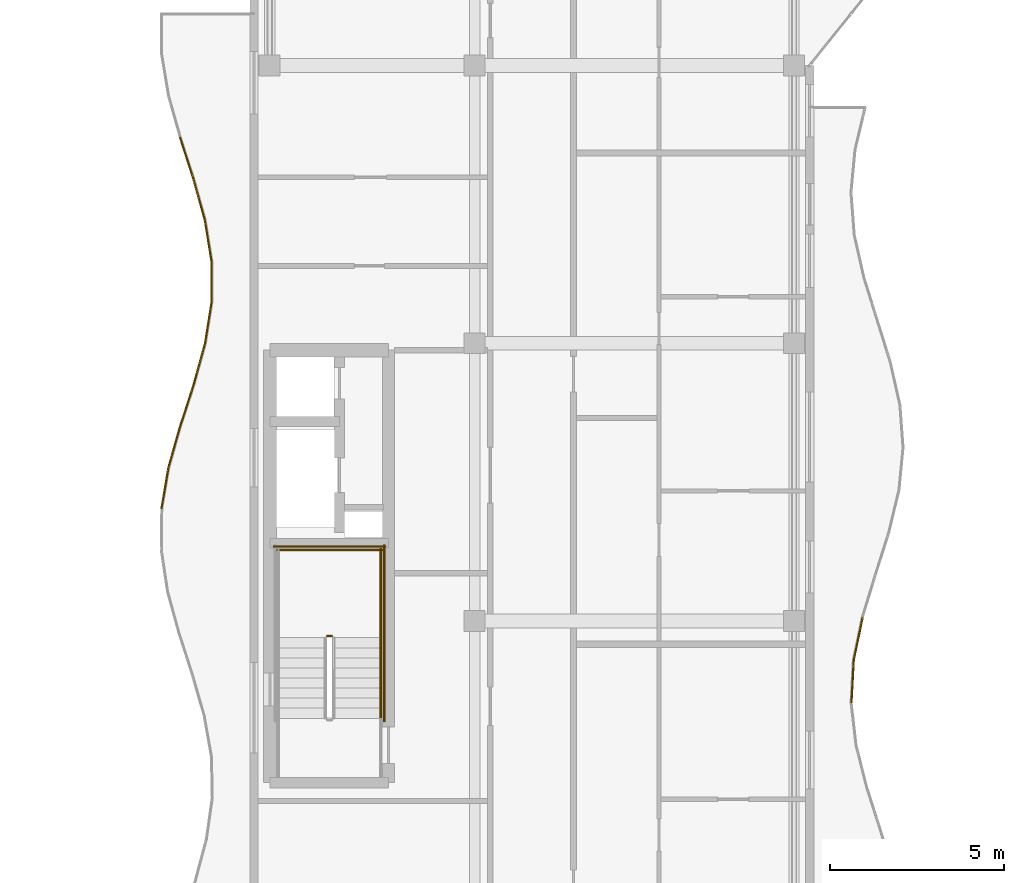
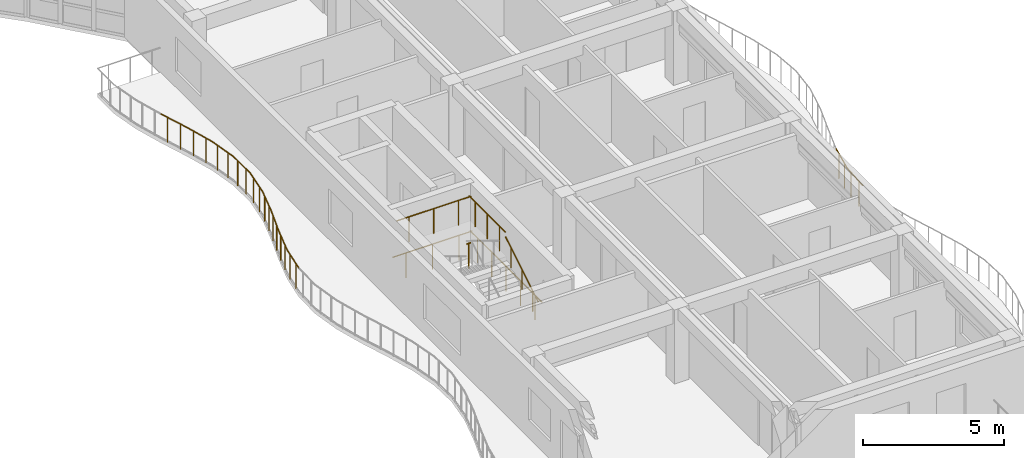
# One storey, part 60 of 72: 17 railings.
"""IFC4 building model written with IfcOpenShell, lengths in metres."""

from ifc_helpers import new_model, si_unit, direction, frame, origin, origin_2d, place, context, subcontext, project, spatial, circle, extrude, material, type_object, element, save


model = new_model("IFC4")

# Units and contexts
model_context = context("Model", 3, precision=1e-05, world=origin(), true_north=direction((0.0, 1.0)))
body_context = subcontext(model_context, "Body", "Model", "MODEL_VIEW")
ifc_project = project(units=[si_unit("LENGTHUNIT", "METRE"), si_unit("AREAUNIT", "SQUARE_METRE"), si_unit("VOLUMEUNIT", "CUBIC_METRE"), si_unit("PLANEANGLEUNIT", "RADIAN"), si_unit("MASSUNIT", "GRAM", prefix="KILO")], contexts=[model_context])

# Site, building, storey
site_placement = place(None, origin())
site = spatial("IfcSite", under=ifc_project, at=site_placement, CompositionType="ELEMENT")
building_placement = place(site_placement, origin())
building = spatial("IfcBuilding", under=site, at=building_placement, Name="Keldmere Railside Commons", CompositionType="ELEMENT")
storey_placement = place(building_placement, frame((0.0, 0.0, 16.9599609375)))
storey = spatial("IfcBuildingStorey", under=building, at=storey_placement, Name="L05", CompositionType="ELEMENT", Elevation=16.9599609375)

# Railings
ifc_material = material(Name="Steel F-24 (S235)", Category="steel")
railing_type_1 = type_object("IfcRailingType", Name="Balcony & Terrace Steel Balustrade 1100", PredefinedType="BALUSTRADE", material=ifc_material)
railing_1_placement = place(storey_placement, frame((121.203857421875, 69.64990234375, 0.0)))
element("IfcRailing", 1, at=railing_1_placement, inside=storey, type_object=railing_type_1, Name="GR-1 GRD-L05-2416", PredefinedType="BALUSTRADE", context=body_context, shape_type="SweptSolid", body=[
    extrude(circle(Radius=0.02392578125, at=origin_2d()), frame((0.0, 0.0, 1.076171875), z_axis=(0.053530154801, 0.99856623342, 0.0), x_axis=(-0.99856623342, 0.053530154801, 0.0)), (0.0, 0.0, 1.0), 1.226806640625),
    extrude(circle(Radius=0.02099609375, at=origin_2d()), frame((0.016357421875, 0.30615234375, 0.0)), (0.0, 0.0, 1.0), 1.048095703125),
    extrude(circle(Radius=0.02099609375, at=origin_2d()), frame((0.04931640625, 0.9189453125, 0.0)), (0.0, 0.0, 1.0), 1.048095703125),
])
railing_2_placement = place(storey_placement, frame((121.26953125, 70.875, 0.0)))
element("IfcRailing", 2, at=railing_2_placement, inside=storey, type_object=railing_type_1, Name="GR-1 GRD-L05-2417", PredefinedType="BALUSTRADE", context=body_context, shape_type="SweptSolid", body=[
    extrude(circle(Radius=0.02392578125, at=origin_2d()), frame((0.0, 0.0, 1.076171875), z_axis=(0.204250275203, 0.978918701977, 0.0), x_axis=(-0.978918701977, 0.204250275203, 0.0)), (0.0, 0.0, 1.0), 1.25146484375),
    extrude(circle(Radius=0.02099609375, at=origin_2d()), frame((0.06396484375, 0.30615234375, 0.0)), (0.0, 0.0, 1.0), 1.048095703125),
    extrude(circle(Radius=0.02099609375, at=origin_2d()), frame((0.191650390625, 0.9189453125, 0.0)), (0.0, 0.0, 1.0), 1.048095703125),
])
railing_3_placement = place(storey_placement, frame((101.332275390625, 75.2333984375, 0.0)))
element("IfcRailing", 3, at=railing_3_placement, inside=storey, type_object=railing_type_1, Name="GR-1 GRD-L05-2447", PredefinedType="BALUSTRADE", context=body_context, shape_type="SweptSolid", body=[
    extrude(circle(Radius=0.02392578125, at=origin_2d()), frame((0.0, 0.0, 1.076171875), z_axis=(0.167648626191, 0.985846812713, 0.0), x_axis=(-0.985846812713, 0.167648626191, 0.0)), (0.0, 0.0, 1.0), 1.205810546875),
    extrude(circle(Radius=0.02099609375, at=origin_2d()), frame((0.050537109375, 0.297119140625, 0.0)), (0.0, 0.0, 1.0), 1.048095703125),
    extrude(circle(Radius=0.02099609375, at=origin_2d()), frame((0.151611328125, 0.8916015625, 0.0)), (0.0, 0.0, 1.0), 1.048095703125),
])
railing_4_placement = place(storey_placement, frame((101.534423828125, 76.422119140625, 0.0)))
element("IfcRailing", 4, at=railing_4_placement, inside=storey, type_object=railing_type_1, Name="GR-1 GRD-L05-2448", PredefinedType="BALUSTRADE", context=body_context, shape_type="SweptSolid", body=[
    extrude(circle(Radius=0.02392578125, at=origin_2d()), frame((0.0, 0.0, 1.076171875), z_axis=(0.273364318721, 0.961910572377, 0.0), x_axis=(-0.961910572377, 0.273364318721, 0.0)), (0.0, 0.0, 1.0), 1.236083984375),
    extrude(circle(Radius=0.02099609375, at=origin_2d()), frame((0.08447265625, 0.29736328125, 0.0)), (0.0, 0.0, 1.0), 1.048095703125),
    extrude(circle(Radius=0.02099609375, at=origin_2d()), frame((0.25341796875, 0.8916015625, 0.0)), (0.0, 0.0, 1.0), 1.048095703125),
])
railing_5_placement = place(storey_placement, frame((101.872314453125, 77.611083984375, 0.0)))
element("IfcRailing", 5, at=railing_5_placement, inside=storey, type_object=railing_type_1, Name="GR-1 GRD-L05-2449", PredefinedType="BALUSTRADE", context=body_context, shape_type="SweptSolid", body=[
    extrude(circle(Radius=0.02392578125, at=origin_2d()), frame((0.0, 0.0, 1.076171875), z_axis=(0.307716246559, 0.951478171901, 0.0), x_axis=(-0.951478171901, 0.307716246559, 0.0)), (0.0, 0.0, 1.0), 1.24951171875),
    extrude(circle(Radius=0.02099609375, at=origin_2d()), frame((0.09619140625, 0.29736328125, 0.0)), (0.0, 0.0, 1.0), 1.048095703125),
    extrude(circle(Radius=0.02099609375, at=origin_2d()), frame((0.288330078125, 0.8916015625, 0.0)), (0.0, 0.0, 1.0), 1.048095703125),
])
railing_6_placement = place(storey_placement, frame((102.2568359375, 78.800048828125, 0.0)))
element("IfcRailing", 6, at=railing_6_placement, inside=storey, type_object=railing_type_1, Name="GR-1 GRD-L05-2450", PredefinedType="BALUSTRADE", context=body_context, shape_type="SweptSolid", body=[
    extrude(circle(Radius=0.02392578125, at=origin_2d()), frame((0.0, 0.0, 1.076171875), z_axis=(0.267684679767, 0.963506570926, 0.0), x_axis=(-0.963506570926, 0.267684679767, 0.0)), (0.0, 0.0, 1.0), 1.23388671875),
    extrude(circle(Radius=0.02099609375, at=origin_2d()), frame((0.08251953125, 0.29736328125, 0.0)), (0.0, 0.0, 1.0), 1.048095703125),
    extrude(circle(Radius=0.02099609375, at=origin_2d()), frame((0.247802734375, 0.8916015625, 0.0)), (0.0, 0.0, 1.0), 1.048095703125),
])
railing_7_placement = place(storey_placement, frame((102.587158203125, 79.989013671875, 0.0)))
element("IfcRailing", 7, at=railing_7_placement, inside=storey, type_object=railing_type_1, Name="GR-1 GRD-L05-2451", PredefinedType="BALUSTRADE", context=body_context, shape_type="SweptSolid", body=[
    extrude(circle(Radius=0.02392578125, at=origin_2d()), frame((0.0, 0.0, 1.076171875), z_axis=(0.156795809223, 0.987631041538, 0.0), x_axis=(-0.987631041538, 0.156795809223, 0.0)), (0.0, 0.0, 1.0), 1.20361328125),
    extrude(circle(Radius=0.02099609375, at=origin_2d()), frame((0.047119140625, 0.297119140625, 0.0)), (0.0, 0.0, 1.0), 1.048095703125),
    extrude(circle(Radius=0.02099609375, at=origin_2d()), frame((0.1416015625, 0.8916015625, 0.0)), (0.0, 0.0, 1.0), 1.048095703125),
])
railing_8_placement = place(storey_placement, frame((102.77587890625, 81.177734375, 0.0)))
element("IfcRailing", 8, at=railing_8_placement, inside=storey, type_object=railing_type_1, Name="GR-1 GRD-L05-2452", PredefinedType="BALUSTRADE", context=body_context, shape_type="SweptSolid", body=[
    extrude(circle(Radius=0.02392578125, at=origin_2d()), frame((0.0, 0.0, 1.076171875), z_axis=(-0.001848046126, 0.999998292361, 0.0), x_axis=(-0.999998292361, -0.001848046126, 0.0)), (0.0, 0.0, 1.0), 1.18896484375),
    extrude(circle(Radius=0.02099609375, at=origin_2d()), frame((-0.00048828125, 0.29736328125, 0.0)), (0.0, 0.0, 1.0), 1.048095703125),
    extrude(circle(Radius=0.02099609375, at=origin_2d()), frame((-0.001708984375, 0.8916015625, 0.0)), (0.0, 0.0, 1.0), 1.048095703125),
])
railing_9_placement = place(storey_placement, frame((102.773681640625, 82.36669921875, 0.0)))
element("IfcRailing", 9, at=railing_9_placement, inside=storey, type_object=railing_type_1, Name="GR-1 GRD-L05-2453", PredefinedType="BALUSTRADE", context=body_context, shape_type="SweptSolid", body=[
    extrude(circle(Radius=0.02392578125, at=origin_2d()), frame((0.0, 0.0, 1.076171875), z_axis=(-0.159729512421, 0.987160819148, 0.0), x_axis=(-0.987160819148, -0.159729512421, 0.0)), (0.0, 0.0, 1.0), 1.204345703125),
    extrude(circle(Radius=0.02099609375, at=origin_2d()), frame((-0.048095703125, 0.29736328125, 0.0)), (0.0, 0.0, 1.0), 1.048095703125),
    extrude(circle(Radius=0.02099609375, at=origin_2d()), frame((-0.144287109375, 0.8916015625, 0.0)), (0.0, 0.0, 1.0), 1.048095703125),
])
railing_10_placement = place(storey_placement, frame((102.581298828125, 83.5556640625, 0.0)))
element("IfcRailing", 10, at=railing_10_placement, inside=storey, type_object=railing_type_1, Name="GR-1 GRD-L05-2454", PredefinedType="BALUSTRADE", context=body_context, shape_type="SweptSolid", body=[
    extrude(circle(Radius=0.02392578125, at=origin_2d()), frame((0.0, 0.0, 1.076171875), z_axis=(-0.26938781694, 0.963031777297, 0.0), x_axis=(-0.963031777297, -0.26938781694, 0.0)), (0.0, 0.0, 1.0), 1.234375),
    extrude(circle(Radius=0.02099609375, at=origin_2d()), frame((-0.0830078125, 0.297119140625, 0.0)), (0.0, 0.0, 1.0), 1.048095703125),
    extrude(circle(Radius=0.02099609375, at=origin_2d()), frame((-0.24951171875, 0.8916015625, 0.0)), (0.0, 0.0, 1.0), 1.048095703125),
])
railing_11_placement = place(storey_placement, frame((102.248779296875, 84.744384765625, 0.0)))
element("IfcRailing", 11, at=railing_11_placement, inside=storey, type_object=railing_type_1, Name="GR-1 GRD-L05-2455", PredefinedType="BALUSTRADE", context=body_context, shape_type="SweptSolid", body=[
    extrude(circle(Radius=0.02392578125, at=origin_2d()), frame((0.0, 0.0, 1.076171875), z_axis=(-0.307893106044, 0.95142095586, 0.0), x_axis=(-0.95142095586, -0.307893106044, 0.0)), (0.0, 0.0, 1.0), 1.249755859375),
    extrude(circle(Radius=0.02099609375, at=origin_2d()), frame((-0.09619140625, 0.29736328125, 0.0)), (0.0, 0.0, 1.0), 1.048095703125),
    extrude(circle(Radius=0.02099609375, at=origin_2d()), frame((-0.28857421875, 0.8916015625, 0.0)), (0.0, 0.0, 1.0), 1.048095703125),
])
railing_type_2 = type_object("IfcRailingType", Name="Stair Well Steel Guardrail 1100", PredefinedType="BALUSTRADE", material=ifc_material)
railing_12_placement = place(storey_placement, frame((106.25, 71.570068359375, 1.60009765625)))
element("IfcRailing", 12, at=railing_12_placement, inside=storey, type_object=railing_type_2, Name="L05 ST-B1 stair guard 2", PredefinedType="BALUSTRADE", context=body_context, shape_type="SweptSolid", body=[
    extrude(circle(Radius=0.02392578125, at=origin_2d()), frame((0.0, 0.0, 1.076171875), z_axis=(-1.0, 0.0, 0.0), x_axis=(0.0, -1.0, 0.0)), (0.0, 0.0, 1.0), 0.14990234375),
    extrude(circle(Radius=0.02099609375, at=origin_2d()), frame((-0.074951171875, 0.0, 0.0)), (0.0, 0.0, 1.0), 1.048095703125),
])
railing_13_placement = place(storey_placement, frame((107.64990234375, 71.52001953125, 1.60009765625)))
element("IfcRailing", 13, at=railing_13_placement, inside=storey, type_object=railing_type_2, Name="L05 ST-B1 stair guard 3", PredefinedType="BALUSTRADE", context=body_context, shape_type="SweptSolid", body=[
    extrude(circle(Radius=0.02392578125, at=origin_2d()), frame((0.0, 0.0, 1.076171875), z_axis=(0.0, 1.0, 0.0), x_axis=(-1.0, 0.0, 0.0)), (0.0, 0.0, 1.0), 2.580078125),
    extrude(circle(Radius=0.02099609375, at=origin_2d()), frame((0.0, 0.429931640625, 0.0)), (0.0, 0.0, 1.0), 1.048095703125),
    extrude(circle(Radius=0.02099609375, at=origin_2d()), frame((0.0, 1.2900390625, 0.0)), (0.0, 0.0, 1.0), 1.048095703125),
    extrude(circle(Radius=0.02099609375, at=origin_2d()), frame((0.0, 2.150146484375, 0.0)), (0.0, 0.0, 1.0), 1.048095703125),
])
railing_14_placement = place(storey_placement, frame((107.699951171875, 74.050048828125, 1.60009765625)))
element("IfcRailing", 14, at=railing_14_placement, inside=storey, type_object=railing_type_2, Name="L05 ST-B1 stair guard 5", PredefinedType="BALUSTRADE", context=body_context, shape_type="SweptSolid", body=[
    extrude(circle(Radius=0.02392578125, at=origin_2d()), frame((0.0, 0.0, 1.076171875), z_axis=(-1.0, 0.0, 0.0), x_axis=(0.0, -1.0, 0.0)), (0.0, 0.0, 1.0), 3.050048828125),
    extrude(circle(Radius=0.02099609375, at=origin_2d()), frame((-0.50830078125, 0.0, 0.0)), (0.0, 0.0, 1.0), 1.048095703125),
    extrude(circle(Radius=0.02099609375, at=origin_2d()), frame((-1.52490234375, 0.0, 0.0)), (0.0, 0.0, 1.0), 1.048095703125),
    extrude(circle(Radius=0.02099609375, at=origin_2d()), frame((-2.541748046875, 0.0, 0.0)), (0.0, 0.0, 1.0), 1.048095703125),
])
railing_15_placement = place(storey_placement, frame((107.75, 69.10009765625, 0.0)))
element("IfcRailing", 15, at=railing_15_placement, inside=storey, type_object=railing_type_2, Name="L05 ST-B1 stair guard 10", PredefinedType="BALUSTRADE", context=body_context, shape_type="SweptSolid", body=[
    extrude(circle(Radius=0.02392578125, at=origin_2d()), frame((0.0, 0.0, 1.076171875), z_axis=(0.0, 1.0, 0.0), x_axis=(-1.0, 0.0, 0.0)), (0.0, 0.0, 1.0), 5.099853515625),
    extrude(circle(Radius=0.02099609375, at=origin_2d()), frame((0.0, 0.510009765625, 0.0)), (0.0, 0.0, 1.0), 1.048095703125),
    extrude(circle(Radius=0.02099609375, at=origin_2d()), frame((0.0, 1.530029296875, 0.0)), (0.0, 0.0, 1.0), 1.048095703125),
    extrude(circle(Radius=0.02099609375, at=origin_2d()), frame((0.0, 2.5498046875, 0.0)), (0.0, 0.0, 1.0), 1.048095703125),
    extrude(circle(Radius=0.02099609375, at=origin_2d()), frame((0.0, 3.56982421875, 0.0)), (0.0, 0.0, 1.0), 1.048095703125),
    extrude(circle(Radius=0.02099609375, at=origin_2d()), frame((0.0, 4.58984375, 0.0)), (0.0, 0.0, 1.0), 1.048095703125),
])
railing_16_placement = place(storey_placement, frame((107.800048828125, 74.14990234375, 0.0)))
element("IfcRailing", 16, at=railing_16_placement, inside=storey, type_object=railing_type_2, Name="L05 ST-B1 stair guard 12", PredefinedType="BALUSTRADE", context=body_context, shape_type="SweptSolid", body=[
    extrude(circle(Radius=0.02392578125, at=origin_2d()), frame((0.0, 0.0, 1.076171875), z_axis=(-1.0, 0.0, 0.0), x_axis=(0.0, -1.0, 0.0)), (0.0, 0.0, 1.0), 3.25),
    extrude(circle(Radius=0.02099609375, at=origin_2d()), frame((-0.541748046875, 0.0, 0.0)), (0.0, 0.0, 1.0), 1.048095703125),
    extrude(circle(Radius=0.02099609375, at=origin_2d()), frame((-1.625, 0.0, 0.0)), (0.0, 0.0, 1.0), 1.048095703125),
    extrude(circle(Radius=0.02099609375, at=origin_2d()), frame((-2.708251953125, 0.0, 0.0)), (0.0, 0.0, 1.0), 1.048095703125),
])
railing_type_3 = type_object("IfcRailingType", Name="Wall-Mounted Tubular Steel Handrail 900", PredefinedType="HANDRAIL", material=ifc_material)
railing_17_placement = place(storey_placement, frame((107.64990234375, 69.199951171875, 0.177734375)))
element("IfcRailing", 17, at=railing_17_placement, inside=storey, type_object=railing_type_3, Name="L05 ST-B1 stair handrail 1", PredefinedType="HANDRAIL", context=body_context, shape_type="SweptSolid", body=[
    extrude(circle(Radius=0.02392578125, at=origin_2d()), frame((0.0, 0.0, 0.8759765625), z_axis=(0.0, 0.852538067394, 0.522665135287), x_axis=(-1.0, 0.0, 0.0)), (0.0, 0.0, 1.0), 2.721435546875),
    extrude(circle(Radius=0.02099609375, at=origin_2d()), frame((0.0, 0.38671875, 0.237060546875)), (0.0, 0.0, 1.0), 0.847900390625),
    extrude(circle(Radius=0.02099609375, at=origin_2d()), frame((0.0, 1.16015625, 0.711181640625)), (0.0, 0.0, 1.0), 0.847900390625),
    extrude(circle(Radius=0.02099609375, at=origin_2d()), frame((0.0, 1.933349609375, 1.185302734375)), (0.0, 0.0, 1.0), 0.847900390625),
])

save(model, "model.ifc")
